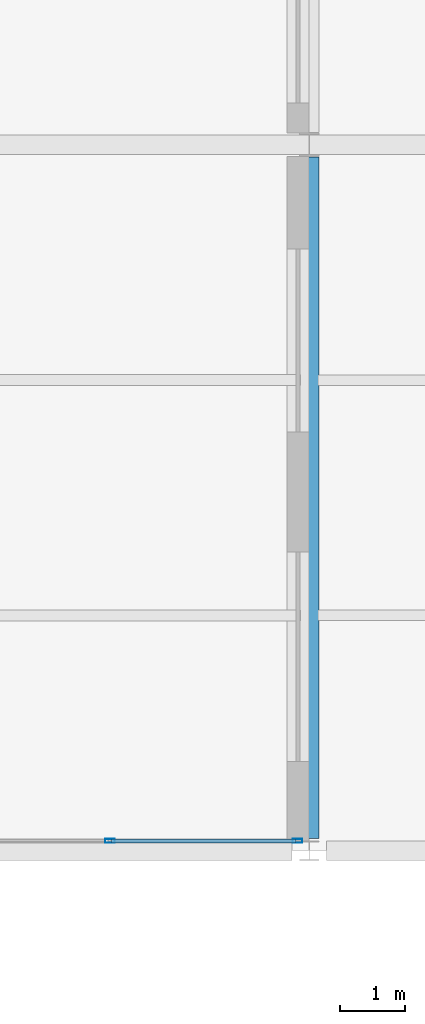
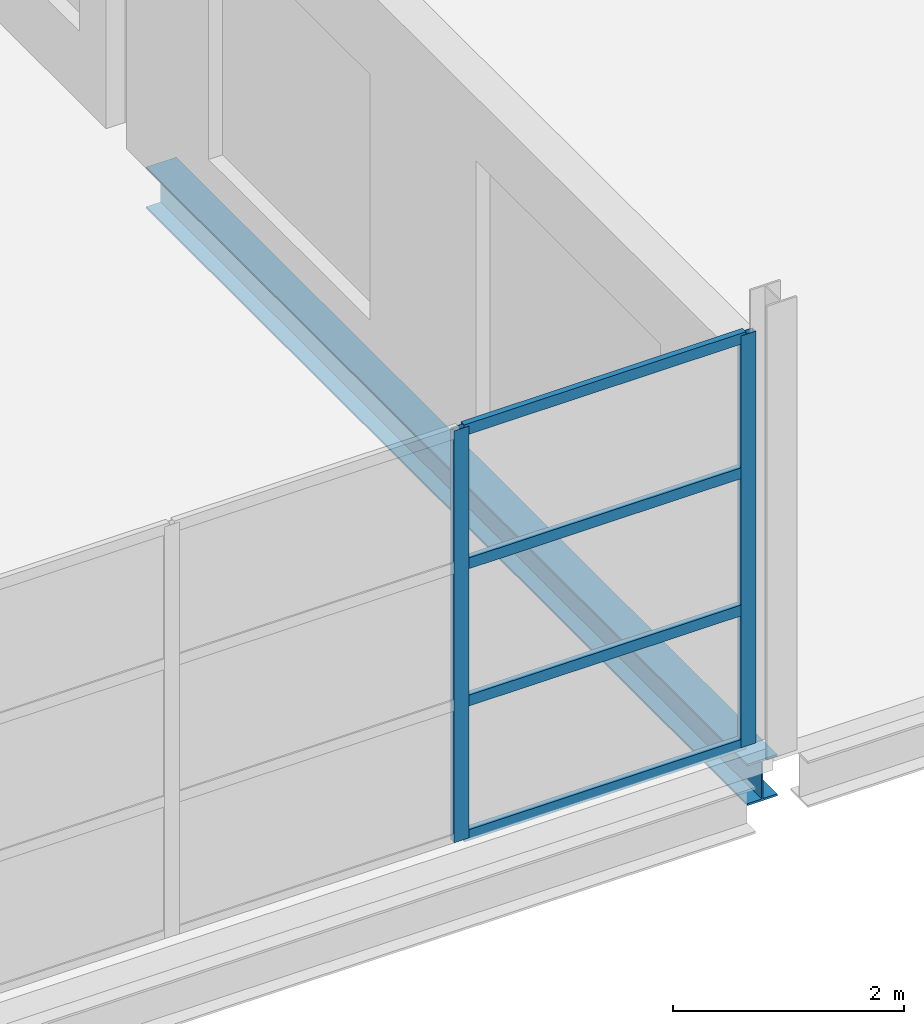
# One storey, part 53 of 134: 6 members, 1 beam, 1 element without a shape of its own.
"""IFC4 building model written with IfcOpenShell, lengths in metres."""

from ifc_helpers import new_model, si_unit, direction, frame, origin, origin_2d, place, context, subcontext, project, spatial, hollow_rectangle, i_section, extrude, material, layer, layer_set, material_profile, profile_set, type_object, element, aggregate, save


model = new_model("IFC4")

# Units and contexts
model_context = context("Model", 3, precision=1e-05, world=origin(), true_north=direction((0.0, 1.0)))
body_context = subcontext(model_context, "Body", "Model", "MODEL_VIEW")
ifc_project = project(units=[si_unit("LENGTHUNIT", "METRE"), si_unit("AREAUNIT", "SQUARE_METRE"), si_unit("VOLUMEUNIT", "CUBIC_METRE"), si_unit("PLANEANGLEUNIT", "RADIAN"), si_unit("MASSUNIT", "GRAM", prefix="KILO")], contexts=[model_context])

# Site, building, storey
site_placement = place(None, origin())
site = spatial("IfcSite", under=ifc_project, at=site_placement, CompositionType="ELEMENT")
building_placement = place(site_placement, origin())
building = spatial("IfcBuilding", under=site, at=building_placement, Name="Tamarisk Ironworks Central Station", CompositionType="ELEMENT")
storey_placement = place(building_placement, frame((0.0, 0.0, 12.60009765625)))
storey = spatial("IfcBuildingStorey", under=building, at=storey_placement, Name="L02", CompositionType="ELEMENT", Elevation=12.60009765625)

# Beam
ifc_material_1 = material(Name="Structural steel S355J2", Category="steel")
ifc_material_profile_1 = material_profile(ifc_material_1, i_section(OverallWidth=0.300048828125, OverallDepth=0.43994140625, WebThickness=0.011474609375, FlangeThickness=0.02099609375, at=origin_2d()), Name="HEA 450")
ifc_profile_set_1 = profile_set([ifc_material_profile_1], Name="Structural steel S355J2")
beam_type = type_object("IfcBeamType", Name="BM-G06", PredefinedType="BEAM", material=ifc_profile_set_1)
beam_placement = place(storey_placement, frame((36.0, 90.18798828125, -0.47021484375), z_axis=(0.0, 1.0, 0.0), x_axis=(-1.0, 0.0, 0.0)))
element("IfcBeam", 1, at=beam_placement, inside=storey, type_object=beam_type, Name="L02 primary girder Y-0446", PredefinedType="BEAM", context=body_context, shape_type="SweptSolid", body=[
    extrude(i_section(OverallWidth=0.300048828125, OverallDepth=0.43994140625, WebThickness=0.011474609375, FlangeThickness=0.02099609375, at=origin_2d()), origin(), (0.0, 0.0, 1.0), 10.424072265625),
])

# Curtain wall, members
ifc_material_2 = material(Name="Anodized aluminium alloy 6063-T6", Category="aluminium")
ifc_layer = layer(ifc_material_2, 0.179931640625)
ifc_layer_set = layer_set([ifc_layer], Name="Anodized aluminium alloy 6063-T6")
curtain_wall_type = type_object("IfcCurtainWallType", Name="CW-11", PredefinedType="USERDEFINED", material=ifc_layer_set)
curtain_wall_placement = place(storey_placement, origin())
curtain_wall = element("IfcCurtainWall", 2, at=curtain_wall_placement, inside=storey, type_object=curtain_wall_type, Name="Pavilion L02 S glazed arcade 27", ObjectType="GLAZED CURTAIN WALL", PredefinedType="USERDEFINED")
ifc_material_profile_2 = material_profile(ifc_material_2, hollow_rectangle(XDim=0.06005859375, YDim=0.14990234375, WallThickness=0.00341796875, at=origin_2d()), Name="ALUM 150x60")
ifc_profile_set_2 = profile_set([ifc_material_profile_2], Name="Anodized aluminium alloy 6063-T6")
member_type_1 = type_object("IfcMemberType", Name="CWM-03", PredefinedType="MULLION", material=ifc_profile_set_2)
member_1_placement = place(storey_placement, frame((32.95068359375, 90.14990234375, 0.0), z_axis=(0.0, 0.0, 1.0), x_axis=(0.0, 1.0, 0.0)))
member_1 = element("IfcMember", 3, at=member_1_placement, type_object=member_type_1, Name="CW11 mullion 3", PredefinedType="MULLION", context=body_context, shape_type="SweptSolid", body=[
    extrude(hollow_rectangle(XDim=0.06005859375, YDim=0.14990234375, WallThickness=0.00341796875, at=origin_2d()), origin(), (0.0, 0.0, 1.0), 4.35986328125),
])
member_2_placement = place(storey_placement, frame((35.822021484375, 90.14990234375, 0.0), z_axis=(0.0, 0.0, 1.0), x_axis=(0.0, 1.0, 0.0)))
member_2 = element("IfcMember", 4, at=member_2_placement, type_object=member_type_1, Name="CW11 mullion 4", PredefinedType="MULLION", context=body_context, shape_type="SweptSolid", body=[
    extrude(hollow_rectangle(XDim=0.06005859375, YDim=0.14990234375, WallThickness=0.00341796875, at=origin_2d()), origin(), (0.0, 0.0, 1.0), 4.35986328125),
])
ifc_material_profile_3 = material_profile(ifc_material_2, hollow_rectangle(XDim=0.06005859375, YDim=0.114990234375, WallThickness=0.00341796875, at=origin_2d()), Name="ALUM 115x60")
ifc_profile_set_3 = profile_set([ifc_material_profile_3], Name="Anodized aluminium alloy 6063-T6")
member_type_2 = type_object("IfcMemberType", Name="CWT-03", PredefinedType="USERDEFINED", material=ifc_profile_set_3)
member_3_placement = place(storey_placement, frame((32.9765625, 90.14990234375, 0.02978515625), z_axis=(1.0, 0.0, 0.0), x_axis=(0.0, 1.0, 0.0)))
member_3 = element("IfcMember", 5, at=member_3_placement, type_object=member_type_2, Name="CW11 transom 3.1", ObjectType="TRANSOM", PredefinedType="USERDEFINED", context=body_context, shape_type="SweptSolid", body=[
    extrude(hollow_rectangle(XDim=0.06005859375, YDim=0.114990234375, WallThickness=0.00341796875, at=origin_2d()), origin(), (0.0, 0.0, 1.0), 2.8193359375),
])
member_4_placement = place(storey_placement, frame((32.9765625, 90.14990234375, 1.453125), z_axis=(1.0, 0.0, 0.0), x_axis=(0.0, 1.0, 0.0)))
member_4 = element("IfcMember", 6, at=member_4_placement, type_object=member_type_2, Name="CW11 transom 3.2", ObjectType="TRANSOM", PredefinedType="USERDEFINED", context=body_context, shape_type="SweptSolid", body=[
    extrude(hollow_rectangle(XDim=0.06005859375, YDim=0.114990234375, WallThickness=0.00341796875, at=origin_2d()), origin(), (0.0, 0.0, 1.0), 2.8193359375),
])
member_5_placement = place(storey_placement, frame((32.9765625, 90.14990234375, 2.906494140625), z_axis=(1.0, 0.0, 0.0), x_axis=(0.0, 1.0, 0.0)))
member_5 = element("IfcMember", 7, at=member_5_placement, type_object=member_type_2, Name="CW11 transom 3.3", ObjectType="TRANSOM", PredefinedType="USERDEFINED", context=body_context, shape_type="SweptSolid", body=[
    extrude(hollow_rectangle(XDim=0.06005859375, YDim=0.114990234375, WallThickness=0.00341796875, at=origin_2d()), origin(), (0.0, 0.0, 1.0), 2.8193359375),
])
member_6_placement = place(storey_placement, frame((32.9765625, 90.14990234375, 4.329833984375), z_axis=(1.0, 0.0, 0.0), x_axis=(0.0, 1.0, 0.0)))
member_6 = element("IfcMember", 8, at=member_6_placement, type_object=member_type_2, Name="CW11 transom 3.4", ObjectType="TRANSOM", PredefinedType="USERDEFINED", context=body_context, shape_type="SweptSolid", body=[
    extrude(hollow_rectangle(XDim=0.06005859375, YDim=0.114990234375, WallThickness=0.00341796875, at=origin_2d()), origin(), (0.0, 0.0, 1.0), 2.8193359375),
])
aggregate(curtain_wall, [member_1, member_2, member_3, member_4, member_5, member_6])

save(model, "model.ifc")
